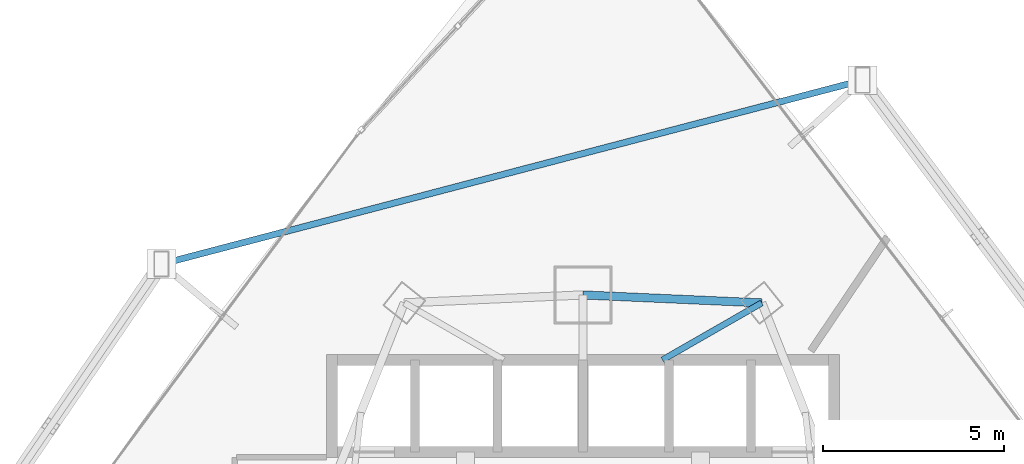
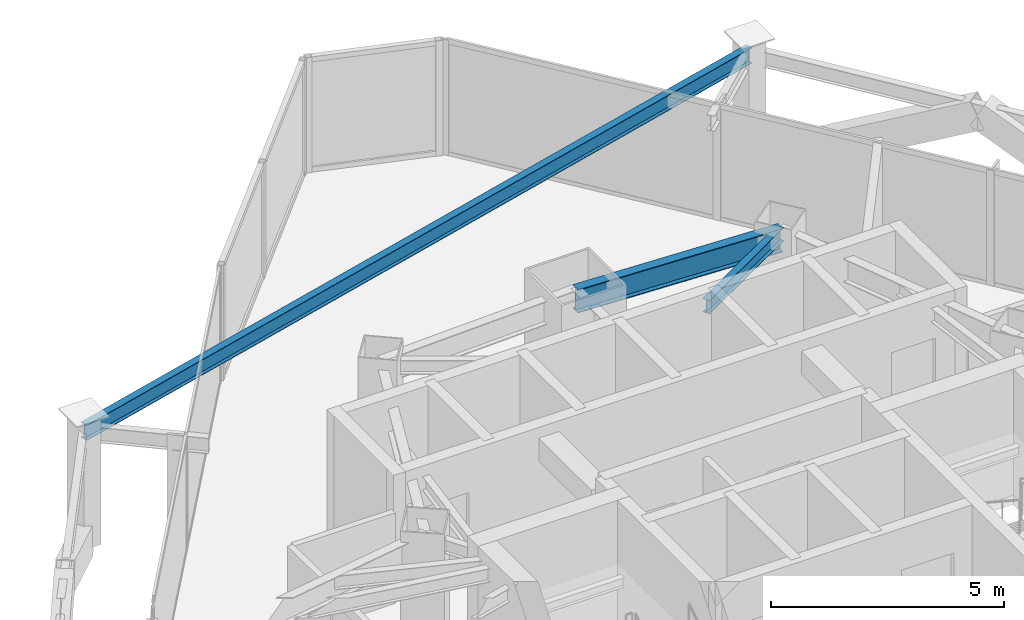
# One storey, part 26 of 38: 3 beams.
"""IFC4 building model written with IfcOpenShell, lengths in metres."""

from ifc_helpers import new_model, si_unit, direction, frame, origin, origin_2d, place, context, subcontext, project, spatial, i_section, extrude, material, material_profile, profile_set, type_object, element, save


model = new_model("IFC4")

# Units and contexts
model_context = context("Model", 3, precision=1e-05, world=origin(), true_north=direction((0.0, 1.0)))
body_context = subcontext(model_context, "Body", "Model", "MODEL_VIEW")
ifc_project = project(units=[si_unit("LENGTHUNIT", "METRE"), si_unit("AREAUNIT", "SQUARE_METRE"), si_unit("VOLUMEUNIT", "CUBIC_METRE"), si_unit("PLANEANGLEUNIT", "RADIAN"), si_unit("MASSUNIT", "GRAM", prefix="KILO")], contexts=[model_context])

# Site, building, storey
site_placement = place(None, origin())
site = spatial("IfcSite", under=ifc_project, at=site_placement, CompositionType="ELEMENT")
building_placement = place(site_placement, origin())
building = spatial("IfcBuilding", under=site, at=building_placement, Name="Orvanel Arch Residences", CompositionType="ELEMENT")
storey_placement = place(building_placement, frame((0.0, 0.0, 56.60009765625)))
storey = spatial("IfcBuildingStorey", under=building, at=storey_placement, Name="L15", CompositionType="ELEMENT", Elevation=56.60009765625)

# Beams
ifc_material = material(Name="Structural steel AS/NZS 3679.1 Grade 300 (300 MPa)", Category="steel")
ifc_material_profile_1 = material_profile(ifc_material, i_section(OverallWidth=0.1708984375, OverallDepth=0.35595703125, WebThickness=0.00732421875, FlangeThickness=0.011474609375, at=origin_2d()), Name="360UB50.7")
ifc_profile_set_1 = profile_set([ifc_material_profile_1], Name="Structural steel AS/NZS 3679.1 Grade 300 (300 MPa)")
beam_type_1 = type_object("IfcBeamType", Name="BJ-360UB", PredefinedType="JOIST", material=ifc_profile_set_1)
beam_1_placement = place(storey_placement, frame((35.199951171875, 39.60009765625, 2.841796875), z_axis=(0.86736513383, 0.497672306458, 0.0), x_axis=(-0.497672306458, 0.86736513383, 0.0)))
element("IfcBeam", 1, at=beam_1_placement, inside=storey, type_object=beam_type_1, Name="L15 MNE Wing Floor Joist", PredefinedType="JOIST", context=body_context, shape_type="SweptSolid", body=[
    extrude(i_section(OverallWidth=0.1708984375, OverallDepth=0.35595703125, WebThickness=0.00732421875, FlangeThickness=0.011474609375, at=origin_2d()), origin(), (0.0, 0.0, 1.0), 3.17041015625),
])
ifc_material_profile_2 = material_profile(ifc_material, i_section(OverallWidth=0.177978515625, OverallDepth=0.406005859375, WebThickness=0.0078125, FlangeThickness=0.0126953125, at=origin_2d()), Name="410UB59.7")
ifc_profile_set_2 = profile_set([ifc_material_profile_2], Name="Structural steel AS/NZS 3679.1 Grade 300 (300 MPa)")
beam_type_2 = type_object("IfcBeamType", Name="OB-410UB-EXT", PredefinedType="SPANDREL", material=ifc_profile_set_2)
beam_2_placement = place(storey_placement, frame((40.739990234375, 47.343994140625, 2.81689453125), z_axis=(-0.967287991375, -0.253680787095, 0.0), x_axis=(0.253680787095, -0.967287991375, 0.0)))
element("IfcBeam", 2, at=beam_2_placement, inside=storey, type_object=beam_type_2, Name="L15 Outer Perimeter Floor Ring Beam 12", PredefinedType="SPANDREL", context=body_context, shape_type="SweptSolid", body=[
    extrude(i_section(OverallWidth=0.177978515625, OverallDepth=0.406005859375, WebThickness=0.0078125, FlangeThickness=0.0126953125, at=origin_2d()), origin(), (0.0, 0.0, 1.0), 20.072509765625),
])
ifc_material_profile_3 = material_profile(ifc_material, i_section(OverallWidth=0.22900390625, OverallDepth=0.612060546875, WebThickness=0.011962890625, FlangeThickness=0.01953125, at=origin_2d()), Name="610UB125")
ifc_profile_set_3 = profile_set([ifc_material_profile_3], Name="Structural steel AS/NZS 3679.1 Grade 300 (300 MPa)")
beam_type_3 = type_object("IfcBeamType", Name="SP-610UB", PredefinedType="SPANDREL", material=ifc_profile_set_3)
beam_3_placement = place(storey_placement, frame((37.949951171875, 41.177978515625, 2.7138671875), z_axis=(-0.999014049296, 0.044395149614, 0.0), x_axis=(-0.044395149614, -0.999014049296, 0.0)))
element("IfcBeam", 3, at=beam_3_placement, inside=storey, type_object=beam_type_3, Name="L15 Perimeter Spandrel Beam 16", PredefinedType="SPANDREL", context=body_context, shape_type="SweptSolid", body=[
    extrude(i_section(OverallWidth=0.22900390625, OverallDepth=0.612060546875, WebThickness=0.011962890625, FlangeThickness=0.01953125, at=origin_2d()), origin(), (0.0, 0.0, 1.0), 4.954833984375),
])

save(model, "model.ifc")
